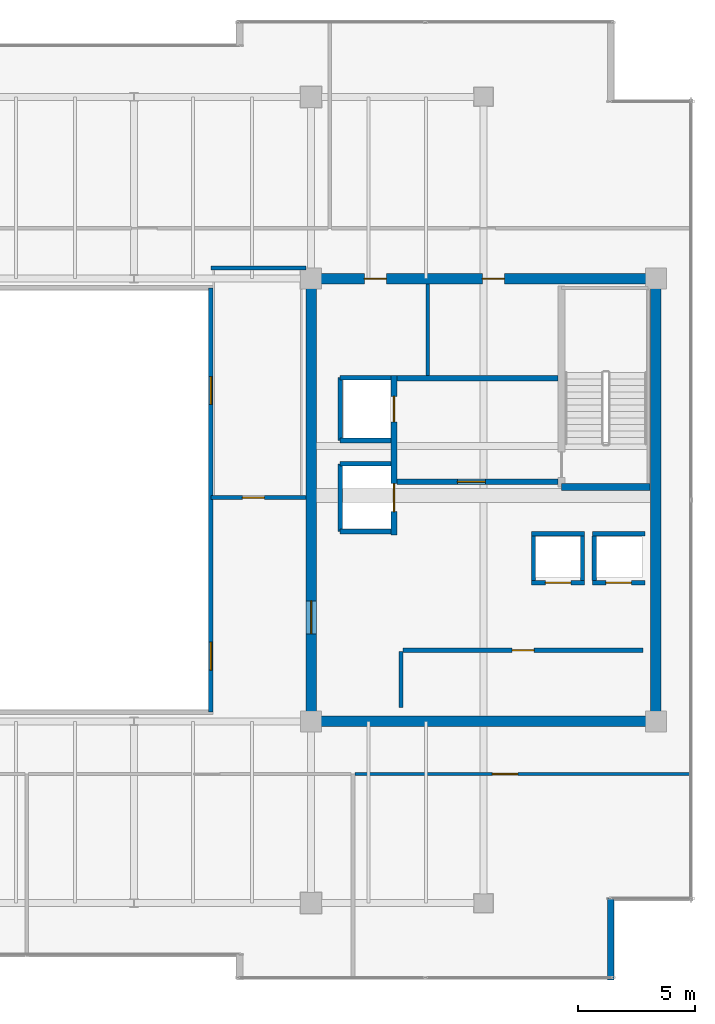
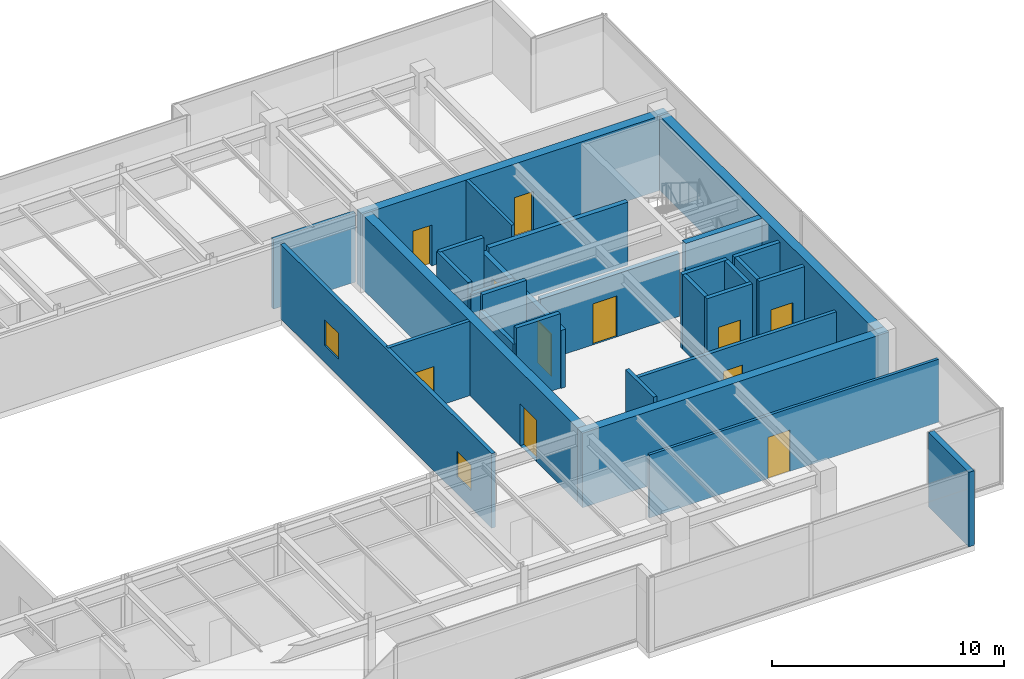
# One storey, part 28 of 34: 29 walls, 11 doors, 2 windows, 13 openings.
"""IFC4 building model written with IfcOpenShell, lengths in metres."""

from ifc_helpers import new_model, si_unit, direction, frame, frame_2d, origin, place, context, subcontext, project, spatial, rectangle, extrude, source, transform, mapped, material, layer, layer_set, type_object, type_shapes, element, fill, save


model = new_model("IFC4")

# Units and contexts
model_context = context("Model", 3, precision=1e-05, world=origin(), true_north=direction((0.0, 1.0)))
body_context = subcontext(model_context, "Body", "Model", "MODEL_VIEW")
ifc_project = project(units=[si_unit("LENGTHUNIT", "METRE"), si_unit("AREAUNIT", "SQUARE_METRE"), si_unit("VOLUMEUNIT", "CUBIC_METRE"), si_unit("PLANEANGLEUNIT", "RADIAN"), si_unit("MASSUNIT", "GRAM", prefix="KILO")], contexts=[model_context])

# Site, building, storey
site_placement = place(None, origin())
site = spatial("IfcSite", under=ifc_project, at=site_placement, CompositionType="ELEMENT")
building_placement = place(site_placement, origin())
building = spatial("IfcBuilding", under=site, at=building_placement, Name="Haelvirn Gate Laboratories", CompositionType="ELEMENT")
storey_placement = place(building_placement, frame((0.0, 0.0, 322.800048828125)))
storey = spatial("IfcBuildingStorey", under=building, at=storey_placement, Name="L77", CompositionType="ELEMENT", Elevation=322.800048828125)

# Walls
ifc_material_1 = material(Name="Thermally-broken bronze aluminium rainscreen & mineral wool", Category="aluminium")
ifc_layer_1 = layer(ifc_material_1, 0.280029296875, Name="EW-TERR-280")
ifc_layer_set_1 = layer_set([ifc_layer_1], Name="Thermally-broken bronze aluminium rainscreen & mineral wool")
wall_type_1 = type_object("IfcWallType", Name="EW-TERR-280", PredefinedType="STANDARD", material=ifc_layer_set_1)
wall_1_placement = place(storey_placement, frame((65.4599609375, 3.699951171875, 0.0), z_axis=(0.0, 0.0, 1.0), x_axis=(0.0, 1.0, 0.0)))
element("IfcWall", 1, at=wall_1_placement, inside=storey, type_object=wall_type_1, Name="L77 Atrium Recess Bronze Return Wall 05", PredefinedType="STANDARD", context=body_context, shape_type="SweptSolid", body=[
    extrude(rectangle(XDim=3.488037109375, YDim=0.280029296875, at=frame_2d((1.744140625, 0.0))), origin(), (0.0, 0.0, 1.0), 3.919921875),
])
ifc_material_2 = material(Name="Fire-rated acoustic gypsum board partition", Category="gypsum")
ifc_layer_2 = layer(ifc_material_2, 0.175048828125, Name="IW-ACOUST-180")
ifc_layer_set_2 = layer_set([ifc_layer_2], Name="Fire-rated acoustic gypsum board partition")
wall_type_2 = type_object("IfcWallType", Name="IW-ACOUST-180", PredefinedType="PARTITIONING", material=ifc_layer_set_2)
wall_2_placement = place(storey_placement, frame((48.300048828125, 34.260009765625, 0.0), z_axis=(0.0, 0.0, 1.0), x_axis=(1.0, 0.0, 0.0)))
element("IfcWall", 2, at=wall_2_placement, inside=storey, type_object=wall_type_2, Name="L77 Interior Wall IW-L77-EPOD-N", PredefinedType="PARTITIONING", context=body_context, shape_type="SweptSolid", body=[
    extrude(rectangle(XDim=4.074951171875, YDim=0.175048828125, at=frame_2d((2.03759765625, 0.0))), origin(), (0.0, 0.0, 1.0), 3.655029296875),
])

# Wall, opening, door
wall_3_placement = place(storey_placement, frame((48.300048828125, 24.39990234375, 0.0), z_axis=(0.0, 0.0, 1.0), x_axis=(1.0, 0.0, 0.0)))
wall_3 = element("IfcWall", 3, at=wall_3_placement, inside=storey, type_object=wall_type_2, Name="L77 Interior Wall IW-L77-EPOD-S", PredefinedType="PARTITIONING", context=body_context, shape_type="SweptSolid", body=[
    extrude(rectangle(XDim=4.074951171875, YDim=0.175048828125, at=frame_2d((2.03759765625, 0.0))), origin(), (0.0, 0.0, 1.0), 3.919921875),
])
opening_1_placement = place(wall_3_placement, frame((1.35009765625, 0.0, 0.0)))
opening_1 = element("IfcOpeningElement", 4, at=opening_1_placement, cuts=wall_3, Name="Opening FD4", PredefinedType="OPENING", context=body_context, shape_type="SweptSolid", body=[
    extrude(rectangle(XDim=0.949951171875, YDim=2.14990234375, at=frame_2d((0.47509765625, 1.074951171875))), frame((0.0, 0.09765625, 0.0), z_axis=(0.0, -1.0, 0.0), x_axis=(1.0, 0.0, 0.0)), (0.0, 0.0, 1.0), 0.195068359375),
])
ifc_material_3 = material(Name="Fire-rated steel SM355 core service door", Category="steel")
door_type_1 = type_object("IfcDoorType", Name="DR-FD-950", OperationType="NOTDEFINED", PredefinedType="DOOR", material=ifc_material_3)
shared_shape_1 = source(origin(), body_context, "Body", "SweptSolid", [
    extrude(rectangle(XDim=0.949951171875, YDim=2.14990234375, at=frame_2d((0.47509765625, 1.074951171875))), frame((0.0, 0.02490234375, 0.0), z_axis=(0.0, -1.0, 0.0), x_axis=(1.0, 0.0, 0.0)), (0.0, 0.0, 1.0), 0.050048828125),
])
type_shapes(door_type_1, [shared_shape_1])
door_1_placement = place(opening_1_placement, origin())
door_1 = element("IfcDoor", 5, at=door_1_placement, inside=storey, type_object=door_type_1, Name="L77 High-Zone Collaboration Suite Door", OperationType="SINGLE_SWING_LEFT", OverallHeight=2.14990234375, OverallWidth=0.949951171875, PredefinedType="DOOR", context=body_context, shape_type="MappedRepresentation", body=[
    mapped(shared_shape_1, transform((0.0, 0.0, 0.0), scale=1.0)),
])
fill(opening_1, door_1)

# Wall, openings, windows
ifc_material_4 = material(Name="Tempered fire-rated borosilicate glass & anodised aluminium", Category="aluminium")
ifc_layer_3 = layer(ifc_material_4, 0.195068359375, Name="IW-GLAZ-200")
ifc_layer_set_3 = layer_set([ifc_layer_3], Name="Tempered fire-rated borosilicate glass & anodised aluminium")
wall_type_3 = type_object("IfcWallType", Name="IW-GLAZ-200", PredefinedType="SOLIDWALL", material=ifc_layer_set_3)
wall_4_placement = place(storey_placement, frame((48.300048828125, 15.199951171875, 0.0), z_axis=(0.0, 0.0, 1.0), x_axis=(0.0, 1.0, 0.0)))
wall_4 = element("IfcWall", 6, at=wall_4_placement, inside=storey, type_object=wall_type_3, Name="L77 Interior Wall IW-L77-ATRIUM-E", PredefinedType="SOLIDWALL", context=body_context, shape_type="SweptSolid", body=[
    extrude(rectangle(XDim=18.199951171875, YDim=0.195068359375, at=frame_2d((9.10009765625, 0.0))), origin(), (0.0, 0.0, 1.0), 3.919921875),
])
opening_2_placement = place(wall_4_placement, frame((1.800048828125, 0.0, 0.89990234375)))
opening_2 = element("IfcOpeningElement", 7, at=opening_2_placement, cuts=wall_4, Name="Opening W6", PredefinedType="OPENING", context=body_context, shape_type="SweptSolid", body=[
    extrude(rectangle(XDim=1.199951171875, YDim=1.35009765625, at=frame_2d((0.60009765625, 0.675048828125))), frame((0.0, 0.107421875, 0.0), z_axis=(0.0, -1.0, 0.0), x_axis=(1.0, 0.0, 0.0)), (0.0, 0.0, 1.0), 0.215087890625),
])
opening_3_placement = place(wall_4_placement, frame((13.199951171875, 0.0, 0.89990234375)))
opening_3 = element("IfcOpeningElement", 8, at=opening_3_placement, cuts=wall_4, Name="Opening W6", PredefinedType="OPENING", context=body_context, shape_type="SweptSolid", body=[
    extrude(rectangle(XDim=1.199951171875, YDim=1.35009765625, at=frame_2d((0.60009765625, 0.675048828125))), frame((0.0, 0.107421875, 0.0), z_axis=(0.0, -1.0, 0.0), x_axis=(1.0, 0.0, 0.0)), (0.0, 0.0, 1.0), 0.215087890625),
])
ifc_material_5 = material(Name="Fire-rated EI 120 borosilicate atrium vision glazing", Category="glass")
window_type = type_object("IfcWindowType", Name="WN-ATR-1200", PartitioningType="SINGLE_PANEL", PredefinedType="WINDOW", material=ifc_material_5)
shared_shape_2 = source(origin(), body_context, "Body", "SweptSolid", [
    extrude(rectangle(XDim=1.199951171875, YDim=1.35009765625, at=frame_2d((0.60009765625, 0.675048828125))), frame((0.0, 0.030029296875, 0.0), z_axis=(0.0, -1.0, 0.0), x_axis=(1.0, 0.0, 0.0)), (0.0, 0.0, 1.0), 0.06005859375),
])
type_shapes(window_type, [shared_shape_2])
window_1_placement = place(opening_2_placement, origin())
window_1 = element("IfcWindow", 9, at=window_1_placement, inside=storey, type_object=window_type, Name="L77 Atrium Observation Window 1", OverallHeight=1.35009765625, OverallWidth=1.199951171875, PartitioningType="SINGLE_PANEL", PredefinedType="WINDOW", context=body_context, shape_type="MappedRepresentation", body=[
    mapped(shared_shape_2, transform((0.0, 0.0, 0.0), scale=1.0)),
])
fill(opening_2, window_1)
window_2_placement = place(opening_3_placement, origin())
window_2 = element("IfcWindow", 10, at=window_2_placement, inside=storey, type_object=window_type, Name="L77 Atrium Observation Window 2", OverallHeight=1.35009765625, OverallWidth=1.199951171875, PartitioningType="SINGLE_PANEL", PredefinedType="WINDOW", context=body_context, shape_type="MappedRepresentation", body=[
    mapped(shared_shape_2, transform((0.0, 0.0, 0.0), scale=1.0)),
])
fill(opening_3, window_2)

# Wall, opening, door
ifc_material_6 = material(Name="Acoustic mineral-wool gypsum board partition", Category="gypsum")
ifc_layer_4 = layer(ifc_material_6, 0.139892578125, Name="IW-PART-140")
ifc_layer_set_4 = layer_set([ifc_layer_4], Name="Acoustic mineral-wool gypsum board partition")
wall_type_4 = type_object("IfcWallType", Name="IW-PART-140", PredefinedType="PARTITIONING", material=ifc_layer_set_4)
wall_5_placement = place(storey_placement, frame((54.47998046875, 12.5400390625, 0.0), z_axis=(0.0, 0.0, 1.0), x_axis=(1.0, 0.0, 0.0)))
wall_5 = element("IfcWall", 11, at=wall_5_placement, inside=storey, type_object=wall_type_4, Name="L77 Interior Wall IW-L77-SCORR-05", PredefinedType="PARTITIONING", context=body_context, shape_type="SweptSolid", body=[
    extrude(rectangle(XDim=14.409912109375, YDim=0.139892578125, at=frame_2d((7.205078125, 0.0))), origin(), (0.0, 0.0, 1.0), 3.31689453125),
])
opening_4_placement = place(wall_5_placement, frame((5.8984375, 0.0, 0.0)))
opening_4 = element("IfcOpeningElement", 12, at=opening_4_placement, cuts=wall_5, Name="Opening D1", PredefinedType="OPENING", context=body_context, shape_type="SweptSolid", body=[
    extrude(rectangle(XDim=1.10009765625, YDim=2.179931640625, at=frame_2d((0.550048828125, 1.08984375))), frame((0.0, 0.080078125, 0.0), z_axis=(0.0, -1.0, 0.0), x_axis=(1.0, 0.0, 0.0)), (0.0, 0.0, 1.0), 0.159912109375),
])
ifc_material_7 = material(Name="Vision-panel acoustic solid-core timber lab door", Category="wood")
door_type_2 = type_object("IfcDoorType", Name="DR-LAB-1100", OperationType="NOTDEFINED", PredefinedType="DOOR", material=ifc_material_7)
shared_shape_3 = source(origin(), body_context, "Body", "SweptSolid", [
    extrude(rectangle(XDim=1.10009765625, YDim=2.179931640625, at=frame_2d((0.550048828125, 1.08984375))), frame((0.0, 0.02490234375, 0.0), z_axis=(0.0, -1.0, 0.0), x_axis=(1.0, 0.0, 0.0)), (0.0, 0.0, 1.0), 0.050048828125),
])
type_shapes(door_type_2, [shared_shape_3])
door_2_placement = place(opening_4_placement, origin())
door_2 = element("IfcDoor", 13, at=door_2_placement, inside=storey, type_object=door_type_2, Name="L77 Peer-Review Seminar Room Door S5", OperationType="SINGLE_SWING_RIGHT", OverallHeight=2.179931640625, OverallWidth=1.10009765625, PredefinedType="DOOR", context=body_context, shape_type="MappedRepresentation", body=[
    mapped(shared_shape_3, transform((0.0, 0.0, 0.0), scale=1.0)),
])
fill(opening_4, door_2)

# Walls
ifc_material_8 = material(Name="Cement-board restroom plumbing chase wall", Category="gypsum")
ifc_layer_5 = layer(ifc_material_8, 0.155029296875, Name="IW-PLUMB-160")
ifc_layer_set_5 = layer_set([ifc_layer_5], Name="Cement-board restroom plumbing chase wall")
wall_type_5 = type_object("IfcWallType", Name="IW-PLUMB-160", PredefinedType="PLUMBINGWALL", material=ifc_layer_set_5)
wall_6_placement = place(storey_placement, frame((57.610107421875, 29.64990234375, 0.0), z_axis=(0.0, 0.0, 1.0), x_axis=(0.0, 1.0, 0.0)))
element("IfcWall", 14, at=wall_6_placement, inside=storey, type_object=wall_type_5, Name="L77 Interior Wall IW-L77-E-CDIV-1", PredefinedType="PLUMBINGWALL", context=body_context, shape_type="SweptSolid", body=[
    extrude(rectangle(XDim=3.93017578125, YDim=0.155029296875, at=frame_2d((1.965087890625, 0.0))), origin(), (0.0, 0.0, 1.0), 3.919921875),
])
ifc_material_9 = material(Name="Concrete C40/50", Category="concrete")
ifc_layer_6 = layer(ifc_material_9, 0.179931640625, Name="IW-SHAFT-180")
ifc_layer_set_6 = layer_set([ifc_layer_6], Name="Concrete C40/50")
wall_type_6 = type_object("IfcWallType", Name="IW-SHAFT-180", PredefinedType="SOLIDWALL", material=ifc_layer_set_6)
for number, where, z_axis, x_axis, name in (
    (15, (64.75, 20.85009765625, 0.0), (0.0, 0.0, 1.0), (0.0, 1.0, 0.0), "L77 Interior Wall IW-L77-PL11-SD"),
    (16, (62.14990234375, 20.85009765625, 0.0), (0.0, 0.0, 1.0), (0.0, 1.0, 0.0), "L77 Interior Wall IW-L77-PL12-SD"),
    (17, (64.25, 20.85009765625, 0.0), (0.0, 0.0, 1.0), (0.0, 1.0, 0.0), "L77 Interior Wall IW-L77-PL12-SDE"),
):
    element("IfcWall", number, at=place(storey_placement, frame(where, z_axis=z_axis, x_axis=x_axis)), inside=storey, type_object=wall_type_6, Name=name, PredefinedType="SOLIDWALL", context=body_context, shape_type="SweptSolid", body=[
        extrude(rectangle(XDim=1.89990234375, YDim=0.179931640625, at=frame_2d((0.949951171875, 0.0))), origin(), (0.0, 0.0, 1.0), 3.919921875),
    ])

# Wall, opening, door
wall_7_placement = place(storey_placement, frame((56.550048828125, 17.85009765625, 0.0), z_axis=(0.0, 0.0, 1.0), x_axis=(1.0, 0.0, 0.0)))
wall_7 = element("IfcWall", 18, at=wall_7_placement, inside=storey, type_object=wall_type_6, Name="L77 Interior Wall IW-L77-E-FREED-HN-1", PredefinedType="SOLIDWALL", context=body_context, shape_type="SweptSolid", body=[
    extrude(rectangle(XDim=10.300048828125, YDim=0.179931640625, at=frame_2d((5.14990234375, 0.0))), origin(), (0.0, 0.0, 1.0), 3.31689453125),
])
opening_5_placement = place(wall_7_placement, frame((4.675048828125, 0.0, 0.0)))
opening_5 = element("IfcOpeningElement", 19, at=opening_5_placement, cuts=wall_7, Name="Opening FD4", PredefinedType="OPENING", context=body_context, shape_type="SweptSolid", body=[
    extrude(rectangle(XDim=0.949951171875, YDim=2.14990234375, at=frame_2d((0.47509765625, 1.074951171875))), frame((0.0, 0.10009765625, 0.0), z_axis=(0.0, -1.0, 0.0), x_axis=(1.0, 0.0, 0.0)), (0.0, 0.0, 1.0), 0.199951171875),
])
door_3_placement = place(opening_5_placement, origin())
door_3 = element("IfcDoor", 20, at=door_3_placement, inside=storey, type_object=door_type_1, Name="L77 High-Zone Cryogenic Biobank Vault Door", OperationType="SINGLE_SWING_LEFT", OverallHeight=2.14990234375, OverallWidth=0.949951171875, PredefinedType="DOOR", context=body_context, shape_type="MappedRepresentation", body=[
    mapped(shared_shape_1, transform((0.0, 0.0, 0.0), scale=1.0)),
])
fill(opening_5, door_3)

# Wall
wall_8_placement = place(storey_placement, frame((56.4599609375, 15.39990234375, 0.0), z_axis=(0.0, 0.0, 1.0), x_axis=(0.0, 1.0, 0.0)))
element("IfcWall", 21, at=wall_8_placement, inside=storey, type_object=wall_type_6, Name="L77 Interior Wall IW-L77-E-FREED-HE-1", PredefinedType="SOLIDWALL", context=body_context, shape_type="SweptSolid", body=[
    extrude(rectangle(XDim=2.400146484375, YDim=0.179931640625, at=frame_2d((1.2001953125, 0.0))), origin(), (0.0, 0.0, 1.0), 3.919921875),
])

# Wall, opening, door
ifc_layer_7 = layer(ifc_material_9, 0.199951171875, Name="IW-SHAFT-200")
ifc_layer_set_7 = layer_set([ifc_layer_7], Name="Concrete C40/50")
wall_type_7 = type_object("IfcWallType", Name="IW-SHAFT-200", PredefinedType="SOLIDWALL", material=ifc_layer_set_7)
wall_9_placement = place(storey_placement, frame((64.669921875, 20.75, 0.0), z_axis=(0.0, 0.0, 1.0), x_axis=(1.0, 0.0, 0.0)))
wall_9 = element("IfcWall", 22, at=wall_9_placement, inside=storey, type_object=wall_type_7, Name="L77 Interior Wall IW-L77-PL11-FR", PredefinedType="SOLIDWALL", context=body_context, shape_type="SweptSolid", body=[
    extrude(rectangle(XDim=2.260009765625, YDim=0.199951171875, at=frame_2d((1.1298828125, 0.0))), origin(), (0.0, 0.0, 1.0), 3.919921875),
])
opening_6_placement = place(wall_9_placement, frame((0.580078125, 0.0, 0.0)))
opening_6 = element("IfcOpeningElement", 23, at=opening_6_placement, cuts=wall_9, Name="Opening LD2", PredefinedType="OPENING", context=body_context, shape_type="SweptSolid", body=[
    extrude(rectangle(XDim=1.10009765625, YDim=2.219970703125, at=frame_2d((0.550048828125, 1.10986328125))), frame((0.0, 0.10986328125, 0.0), z_axis=(0.0, -1.0, 0.0), x_axis=(1.0, 0.0, 0.0)), (0.0, 0.0, 1.0), 0.219970703125),
])
ifc_material_10 = material(Name="Bronze stainless 316L sliding lift landing door")
door_type_3 = type_object("IfcDoorType", Name="DR-LD-1100", OperationType="NOTDEFINED", PredefinedType="USERDEFINED", material=ifc_material_10)
shared_shape_4 = source(origin(), body_context, "Body", "SweptSolid", [
    extrude(rectangle(XDim=1.10009765625, YDim=2.219970703125, at=frame_2d((0.550048828125, 1.10986328125))), frame((0.0, 0.02490234375, 0.0), z_axis=(0.0, -1.0, 0.0), x_axis=(1.0, 0.0, 0.0)), (0.0, 0.0, 1.0), 0.050048828125),
])
type_shapes(door_type_3, [shared_shape_4])
door_4_placement = place(opening_6_placement, origin())
door_4 = element("IfcDoor", 24, at=door_4_placement, inside=storey, type_object=door_type_3, Name="L77 Passenger Lift PL11 Landing Door", ObjectType="LANDING_DOOR", OperationType="SLIDING_TO_LEFT", OverallHeight=2.219970703125, OverallWidth=1.10009765625, PredefinedType="USERDEFINED", context=body_context, shape_type="MappedRepresentation", body=[
    mapped(shared_shape_4, transform((0.0, 0.0, 0.0), scale=1.0)),
])
fill(opening_6, door_4)

# Wall
wall_10_placement = place(storey_placement, frame((64.669921875, 22.85009765625, 0.0), z_axis=(0.0, 0.0, 1.0), x_axis=(1.0, 0.0, 0.0)))
element("IfcWall", 25, at=wall_10_placement, inside=storey, type_object=wall_type_7, Name="L77 Interior Wall IW-L77-PL11-BK", PredefinedType="SOLIDWALL", context=body_context, shape_type="SweptSolid", body=[
    extrude(rectangle(XDim=2.260009765625, YDim=0.199951171875, at=frame_2d((1.1298828125, 0.0))), origin(), (0.0, 0.0, 1.0), 3.919921875),
])

# Wall, opening, door
wall_11_placement = place(storey_placement, frame((62.070068359375, 20.75, 0.0), z_axis=(0.0, 0.0, 1.0), x_axis=(1.0, 0.0, 0.0)))
wall_11 = element("IfcWall", 26, at=wall_11_placement, inside=storey, type_object=wall_type_7, Name="L77 Interior Wall IW-L77-PL12-FR", PredefinedType="SOLIDWALL", context=body_context, shape_type="SweptSolid", body=[
    extrude(rectangle(XDim=2.260009765625, YDim=0.199951171875, at=frame_2d((1.1298828125, 0.0))), origin(), (0.0, 0.0, 1.0), 3.919921875),
])
opening_7_placement = place(wall_11_placement, frame((0.580078125, 0.0, 0.0)))
opening_7 = element("IfcOpeningElement", 27, at=opening_7_placement, cuts=wall_11, Name="Opening LD2", PredefinedType="OPENING", context=body_context, shape_type="SweptSolid", body=[
    extrude(rectangle(XDim=1.10009765625, YDim=2.219970703125, at=frame_2d((0.550048828125, 1.10986328125))), frame((0.0, 0.10986328125, 0.0), z_axis=(0.0, -1.0, 0.0), x_axis=(1.0, 0.0, 0.0)), (0.0, 0.0, 1.0), 0.219970703125),
])
door_5_placement = place(opening_7_placement, origin())
door_5 = element("IfcDoor", 28, at=door_5_placement, inside=storey, type_object=door_type_3, Name="L77 Passenger Lift PL12 Landing Door", ObjectType="LANDING_DOOR", OperationType="SLIDING_TO_RIGHT", OverallHeight=2.219970703125, OverallWidth=1.10009765625, PredefinedType="USERDEFINED", context=body_context, shape_type="MappedRepresentation", body=[
    mapped(shared_shape_4, transform((0.0, 0.0, 0.0), scale=1.0)),
])
fill(opening_7, door_5)

# Walls
wall_12_placement = place(storey_placement, frame((62.070068359375, 22.85009765625, 0.0), z_axis=(0.0, 0.0, 1.0), x_axis=(1.0, 0.0, 0.0)))
element("IfcWall", 29, at=wall_12_placement, inside=storey, type_object=wall_type_7, Name="L77 Interior Wall IW-L77-PL12-BK", PredefinedType="SOLIDWALL", context=body_context, shape_type="SweptSolid", body=[
    extrude(rectangle(XDim=2.260009765625, YDim=0.199951171875, at=frame_2d((1.1298828125, 0.0))), origin(), (0.0, 0.0, 1.0), 3.919921875),
])
wall_13_placement = place(storey_placement, frame((53.85009765625, 26.85009765625, 0.0), z_axis=(0.0, 0.0, 1.0), x_axis=(0.0, 1.0, 0.0)))
element("IfcWall", 30, at=wall_13_placement, inside=storey, type_object=wall_type_7, Name="L77 Interior Wall IW-L77-FL2-BK", PredefinedType="SOLIDWALL", context=body_context, shape_type="SweptSolid", body=[
    extrude(rectangle(XDim=2.699951171875, YDim=0.199951171875, at=frame_2d((1.35009765625, 0.0))), origin(), (0.0, 0.0, 1.0), 3.919921875),
])
wall_14_placement = place(storey_placement, frame((53.85009765625, 29.550048828125, 0.0), z_axis=(0.0, 0.0, 1.0), x_axis=(1.0, 0.0, 0.0)))
element("IfcWall", 31, at=wall_14_placement, inside=storey, type_object=wall_type_7, Name="L77 Interior Wall IW-L77-FL2-N", PredefinedType="SOLIDWALL", context=body_context, shape_type="SweptSolid", body=[
    extrude(rectangle(XDim=2.18994140625, YDim=0.199951171875, at=frame_2d((1.094970703125, 0.0))), origin(), (0.0, 0.0, 1.0), 3.919921875),
])
wall_15_placement = place(storey_placement, frame((53.85009765625, 26.85009765625, 0.0), z_axis=(0.0, 0.0, 1.0), x_axis=(1.0, 0.0, 0.0)))
element("IfcWall", 32, at=wall_15_placement, inside=storey, type_object=wall_type_7, Name="L77 Interior Wall IW-L77-FL2-S", PredefinedType="SOLIDWALL", context=body_context, shape_type="SweptSolid", body=[
    extrude(rectangle(XDim=2.18994140625, YDim=0.199951171875, at=frame_2d((1.094970703125, 0.0))), origin(), (0.0, 0.0, 1.0), 3.31689453125),
])
wall_16_placement = place(storey_placement, frame((53.85009765625, 22.949951171875, 0.0), z_axis=(0.0, 0.0, 1.0), x_axis=(0.0, 1.0, 0.0)))
element("IfcWall", 33, at=wall_16_placement, inside=storey, type_object=wall_type_7, Name="L77 Interior Wall IW-L77-SL2-BK", PredefinedType="SOLIDWALL", context=body_context, shape_type="SweptSolid", body=[
    extrude(rectangle(XDim=2.900146484375, YDim=0.199951171875, at=frame_2d((1.4501953125, 0.0))), origin(), (0.0, 0.0, 1.0), 3.054931640625),
])
for number, where, z_axis, x_axis, name in (
    (34, (53.85009765625, 25.85009765625, 0.0), (0.0, 0.0, 1.0), (1.0, 0.0, 0.0), "L77 Interior Wall IW-L77-SL2-N"),
    (35, (53.85009765625, 22.949951171875, 0.0), (0.0, 0.0, 1.0), (1.0, 0.0, 0.0), "L77 Interior Wall IW-L77-SL2-S"),
):
    element("IfcWall", number, at=place(storey_placement, frame(where, z_axis=z_axis, x_axis=x_axis)), inside=storey, type_object=wall_type_7, Name=name, PredefinedType="SOLIDWALL", context=body_context, shape_type="SweptSolid", body=[
        extrude(rectangle(XDim=2.18994140625, YDim=0.199951171875, at=frame_2d((1.094970703125, 0.0))), origin(), (0.0, 0.0, 1.0), 3.919921875),
    ])

# Wall, opening, door
ifc_layer_8 = layer(ifc_material_9, 0.239990234375, Name="IW-SHAFT-240")
ifc_layer_set_8 = layer_set([ifc_layer_8], Name="Concrete C40/50")
wall_type_8 = type_object("IfcWallType", Name="IW-SHAFT-240", PredefinedType="SOLIDWALL", material=ifc_layer_set_8)
wall_17_placement = place(storey_placement, frame((56.280029296875, 25.080078125, 0.0), z_axis=(0.0, 0.0, 1.0), x_axis=(1.0, 0.0, 0.0)))
wall_17 = element("IfcWall", 36, at=wall_17_placement, inside=storey, type_object=wall_type_8, Name="L77 Interior Wall IW-L77-E-FF-S", PredefinedType="SOLIDWALL", context=body_context, shape_type="SweptSolid", body=[
    extrude(rectangle(XDim=6.919921875, YDim=0.239990234375, at=frame_2d((3.4599609375, 0.0))), origin(), (0.0, 0.0, 1.0), 3.31689453125),
])
opening_8_placement = place(wall_17_placement, frame((2.60009765625, 0.0, 0.0)))
opening_8 = element("IfcOpeningElement", 37, at=opening_8_placement, cuts=wall_17, Name="Opening FD2", PredefinedType="OPENING", context=body_context, shape_type="SweptSolid", body=[
    extrude(rectangle(XDim=1.199951171875, YDim=2.159912109375, at=frame_2d((0.60009765625, 1.080078125))), frame((0.0, 0.1298828125, 0.0), z_axis=(0.0, -1.0, 0.0), x_axis=(1.0, 0.0, 0.0)), (0.0, 0.0, 1.0), 0.260009765625),
])
ifc_material_11 = material(Name="Fire-rated steel SM355 compartment door", Category="steel")
door_type_4 = type_object("IfcDoorType", Name="DR-FD-1200", OperationType="NOTDEFINED", PredefinedType="DOOR", material=ifc_material_11)
shared_shape_5 = source(origin(), body_context, "Body", "SweptSolid", [
    extrude(rectangle(XDim=1.199951171875, YDim=2.159912109375, at=frame_2d((0.60009765625, 1.080078125))), frame((0.0, 0.02490234375, 0.0), z_axis=(0.0, -1.0, 0.0), x_axis=(1.0, 0.0, 0.0)), (0.0, 0.0, 1.0), 0.050048828125),
])
type_shapes(door_type_4, [shared_shape_5])
door_6_placement = place(opening_8_placement, origin())
door_6 = element("IfcDoor", 38, at=door_6_placement, inside=storey, type_object=door_type_4, Name="L77 East Firefighting Lobby Door", OperationType="SINGLE_SWING_LEFT", OverallHeight=2.159912109375, OverallWidth=1.199951171875, PredefinedType="DOOR", context=body_context, shape_type="MappedRepresentation", body=[
    mapped(shared_shape_5, transform((0.0, 0.0, 0.0), scale=1.0)),
])
fill(opening_8, door_6)

# Wall
wall_18_placement = place(storey_placement, frame((56.280029296875, 29.52001953125, 0.0), z_axis=(0.0, 0.0, 1.0), x_axis=(1.0, 0.0, 0.0)))
element("IfcWall", 39, at=wall_18_placement, inside=storey, type_object=wall_type_8, Name="L77 Interior Wall IW-L77-E-FF-N", PredefinedType="SOLIDWALL", context=body_context, shape_type="SweptSolid", body=[
    extrude(rectangle(XDim=6.919921875, YDim=0.239990234375, at=frame_2d((3.4599609375, 0.0))), origin(), (0.0, 0.0, 1.0), 3.31689453125),
])

# Wall, openings, doors
wall_19_placement = place(storey_placement, frame((56.159912109375, 22.800048828125, 0.0), z_axis=(0.0, 0.0, 1.0), x_axis=(0.0, 1.0, 0.0)))
wall_19 = element("IfcWall", 40, at=wall_19_placement, inside=storey, type_object=wall_type_8, Name="L77 Interior Wall IW-L77-E-FF-E", PredefinedType="SOLIDWALL", context=body_context, shape_type="SweptSolid", body=[
    extrude(rectangle(XDim=6.849853515625, YDim=0.239990234375, at=frame_2d((3.4248046875, 0.0))), origin(), (0.0, 0.0, 1.0), 3.054931640625),
])
opening_9_placement = place(wall_19_placement, frame((4.85009765625, 0.0, 0.0)))
opening_9 = element("IfcOpeningElement", 41, at=opening_9_placement, cuts=wall_19, Name="Opening LD2", PredefinedType="OPENING", context=body_context, shape_type="SweptSolid", body=[
    extrude(rectangle(XDim=1.10009765625, YDim=2.219970703125, at=frame_2d((0.550048828125, 1.10986328125))), frame((0.0, 0.1298828125, 0.0), z_axis=(0.0, -1.0, 0.0), x_axis=(1.0, 0.0, 0.0)), (0.0, 0.0, 1.0), 0.260009765625),
])
opening_10_placement = place(wall_19_placement, frame((1.0, 0.0, 0.0)))
opening_10 = element("IfcOpeningElement", 42, at=opening_10_placement, cuts=wall_19, Name="Opening LD1", PredefinedType="OPENING", context=body_context, shape_type="SweptSolid", body=[
    extrude(rectangle(XDim=1.199951171875, YDim=2.219970703125, at=frame_2d((0.60009765625, 1.10986328125))), frame((0.0, 0.1298828125, 0.0), z_axis=(0.0, -1.0, 0.0), x_axis=(1.0, 0.0, 0.0)), (0.0, 0.0, 1.0), 0.260009765625),
])
door_7_placement = place(opening_9_placement, origin())
door_7 = element("IfcDoor", 43, at=door_7_placement, inside=storey, type_object=door_type_3, Name="L77 Firefighting Lift FL2 Landing Door", ObjectType="LANDING_DOOR", OperationType="SLIDING_TO_RIGHT", OverallHeight=2.219970703125, OverallWidth=1.10009765625, PredefinedType="USERDEFINED", context=body_context, shape_type="MappedRepresentation", body=[
    mapped(shared_shape_4, transform((0.0, 0.0, 0.0), scale=1.0)),
])
fill(opening_9, door_7)
ifc_material_12 = material(Name="Stainless steel 316L sliding goods landing door", Category="steel")
door_type_5 = type_object("IfcDoorType", Name="DR-LD-1200", OperationType="NOTDEFINED", PredefinedType="USERDEFINED", material=ifc_material_12)
shared_shape_6 = source(origin(), body_context, "Body", "SweptSolid", [
    extrude(rectangle(XDim=1.199951171875, YDim=2.219970703125, at=frame_2d((0.60009765625, 1.10986328125))), frame((0.0, 0.02490234375, 0.0), z_axis=(0.0, -1.0, 0.0), x_axis=(1.0, 0.0, 0.0)), (0.0, 0.0, 1.0), 0.050048828125),
])
type_shapes(door_type_5, [shared_shape_6])
door_8_placement = place(opening_10_placement, origin())
door_8 = element("IfcDoor", 44, at=door_8_placement, inside=storey, type_object=door_type_5, Name="L77 Service Lift SL2 Landing Door", ObjectType="LANDING_DOOR", OperationType="SLIDING_TO_LEFT", OverallHeight=2.219970703125, OverallWidth=1.199951171875, PredefinedType="USERDEFINED", context=body_context, shape_type="MappedRepresentation", body=[
    mapped(shared_shape_6, transform((0.0, 0.0, 0.0), scale=1.0)),
])
fill(opening_10, door_8)

# Wall
ifc_material_13 = material(Name="Concrete C50/60", Category="concrete")
ifc_layer_9 = layer(ifc_material_13, 0.449951171875, Name="SW-CORE-450")
ifc_layer_set_9 = layer_set([ifc_layer_9], Name="Concrete C50/60")
wall_type_9 = type_object("IfcWallType", Name="SW-CORE-450", PredefinedType="SHEAR", material=ifc_layer_set_9)
wall_20_placement = place(storey_placement, frame((52.375, 14.800048828125, 0.0), z_axis=(0.0, 0.0, 1.0), x_axis=(1.0, 0.0, 0.0)))
element("IfcWall", 45, at=wall_20_placement, inside=storey, type_object=wall_type_9, Name="L77 E Core Shear Wall S", PredefinedType="SHEAR", context=body_context, shape_type="SweptSolid", body=[
    extrude(rectangle(XDim=15.25, YDim=0.449951171875, at=frame_2d((7.625, 0.0))), origin(), (0.0, 0.0, 1.0), 3.919921875),
])

# Wall, openings, doors
wall_21_placement = place(storey_placement, frame((52.375, 33.800048828125, 0.0), z_axis=(0.0, 0.0, 1.0), x_axis=(1.0, 0.0, 0.0)))
wall_21 = element("IfcWall", 46, at=wall_21_placement, inside=storey, type_object=wall_type_9, Name="L77 E Core Shear Wall N", PredefinedType="SHEAR", context=body_context, shape_type="SweptSolid", body=[
    extrude(rectangle(XDim=15.25, YDim=0.449951171875, at=frame_2d((7.625, 0.0))), origin(), (0.0, 0.0, 1.0), 3.919921875),
])
opening_11_placement = place(wall_21_placement, frame((7.574951171875, 0.0, 0.0)))
opening_11 = element("IfcOpeningElement", 47, at=opening_11_placement, cuts=wall_21, Name="Opening FD4", PredefinedType="OPENING", context=body_context, shape_type="SweptSolid", body=[
    extrude(rectangle(XDim=0.949951171875, YDim=2.14990234375, at=frame_2d((0.47509765625, 1.074951171875))), frame((0.0, 0.23486328125, 0.0), z_axis=(0.0, -1.0, 0.0), x_axis=(1.0, 0.0, 0.0)), (0.0, 0.0, 1.0), 0.469970703125),
])
opening_12_placement = place(wall_21_placement, frame((2.510009765625, 0.0, 0.0)))
opening_12 = element("IfcOpeningElement", 48, at=opening_12_placement, cuts=wall_21, Name="Opening FD4", PredefinedType="OPENING", context=body_context, shape_type="SweptSolid", body=[
    extrude(rectangle(XDim=0.949951171875, YDim=2.14990234375, at=frame_2d((0.47509765625, 1.074951171875))), frame((0.0, 0.23486328125, 0.0), z_axis=(0.0, -1.0, 0.0), x_axis=(1.0, 0.0, 0.0)), (0.0, 0.0, 1.0), 0.469970703125),
])
door_9_placement = place(opening_11_placement, origin())
door_9 = element("IfcDoor", 49, at=door_9_placement, inside=storey, type_object=door_type_1, Name="L77 All-Gender Multi-Stall Restroom Fire Door", OperationType="SINGLE_SWING_RIGHT", OverallHeight=2.14990234375, OverallWidth=0.949951171875, PredefinedType="DOOR", context=body_context, shape_type="MappedRepresentation", body=[
    mapped(shared_shape_1, transform((0.0, 0.0, 0.0), scale=1.0)),
])
fill(opening_11, door_9)
door_10_placement = place(opening_12_placement, origin())
door_10 = element("IfcDoor", 50, at=door_10_placement, inside=storey, type_object=door_type_1, Name="L77 Accessible Restroom Fire Door", OperationType="SINGLE_SWING_LEFT", OverallHeight=2.14990234375, OverallWidth=0.949951171875, PredefinedType="DOOR", context=body_context, shape_type="MappedRepresentation", body=[
    mapped(shared_shape_1, transform((0.0, 0.0, 0.0), scale=1.0)),
])
fill(opening_12, door_10)

# Wall, opening, door
wall_22_placement = place(storey_placement, frame((52.60009765625, 15.02490234375, 0.0), z_axis=(0.0, 0.0, 1.0), x_axis=(0.0, 1.0, 0.0)))
wall_22 = element("IfcWall", 51, at=wall_22_placement, inside=storey, type_object=wall_type_9, Name="L77 E Core Shear Wall W", PredefinedType="SHEAR", context=body_context, shape_type="SweptSolid", body=[
    extrude(rectangle(XDim=18.550048828125, YDim=0.449951171875, at=frame_2d((9.27490234375, 0.0))), origin(), (0.0, 0.0, 1.0), 3.919921875),
])
opening_13_placement = place(wall_22_placement, frame((3.52490234375, 0.0, 0.0)))
opening_13 = element("IfcOpeningElement", 52, at=opening_13_placement, cuts=wall_22, Name="Opening FD1", PredefinedType="OPENING", context=body_context, shape_type="SweptSolid", body=[
    extrude(rectangle(XDim=1.419921875, YDim=2.199951171875, at=frame_2d((0.7099609375, 1.10009765625))), frame((0.0, 0.23486328125, 0.0), z_axis=(0.0, -1.0, 0.0), x_axis=(1.0, 0.0, 0.0)), (0.0, 0.0, 1.0), 0.469970703125),
])
ifc_material_14 = material(Name="Fire-rated double steel SM355 lobby door", Category="steel")
door_type_6 = type_object("IfcDoorType", Name="DR-FD-1400", OperationType="NOTDEFINED", PredefinedType="DOOR", material=ifc_material_14)
shared_shape_7 = source(origin(), body_context, "Body", "SweptSolid", [
    extrude(rectangle(XDim=1.419921875, YDim=2.199951171875, at=frame_2d((0.7099609375, 1.10009765625))), frame((0.0, 0.02490234375, 0.0), z_axis=(0.0, -1.0, 0.0), x_axis=(1.0, 0.0, 0.0)), (0.0, 0.0, 1.0), 0.050048828125),
])
type_shapes(door_type_6, [shared_shape_7])
door_11_placement = place(opening_13_placement, origin())
door_11 = element("IfcDoor", 53, at=door_11_placement, inside=storey, type_object=door_type_6, Name="L77 East Core Lift Lobby Fire Door", OperationType="DOUBLE_DOOR_SINGLE_SWING", OverallHeight=2.199951171875, OverallWidth=1.419921875, PredefinedType="DOOR", context=body_context, shape_type="MappedRepresentation", body=[
    mapped(shared_shape_7, transform((0.0, 0.0, 0.0), scale=1.0)),
])
fill(opening_13, door_11)

# Walls
wall_23_placement = place(storey_placement, frame((67.39990234375, 15.02490234375, 0.0), z_axis=(0.0, 0.0, 1.0), x_axis=(0.0, 1.0, 0.0)))
element("IfcWall", 54, at=wall_23_placement, inside=storey, type_object=wall_type_9, Name="L77 E Core Shear Wall E", PredefinedType="SHEAR", context=body_context, shape_type="SweptSolid", body=[
    extrude(rectangle(XDim=18.550048828125, YDim=0.449951171875, at=frame_2d((9.27490234375, 0.0))), origin(), (0.0, 0.0, 1.0), 3.919921875),
])
ifc_layer_10 = layer(ifc_material_13, 0.300048828125, Name="SW-STAIR-300")
ifc_layer_set_10 = layer_set([ifc_layer_10], Name="Concrete C50/60")
wall_type_10 = type_object("IfcWallType", Name="SW-STAIR-300", PredefinedType="SHEAR", material=ifc_layer_set_10)
wall_24_placement = place(storey_placement, frame((63.35009765625, 24.85009765625, 0.0), z_axis=(0.0, 0.0, 1.0), x_axis=(1.0, 0.0, 0.0)))
element("IfcWall", 55, at=wall_24_placement, inside=storey, type_object=wall_type_10, Name="L77 E Core Stair Shaft Structural Wall S", PredefinedType="SHEAR", context=body_context, shape_type="SweptSolid", body=[
    extrude(rectangle(XDim=3.7998046875, YDim=0.300048828125, at=frame_2d((1.89990234375, 0.0))), origin(), (0.0, 0.0, 1.0), 3.919921875),
])

save(model, "model.ifc")
